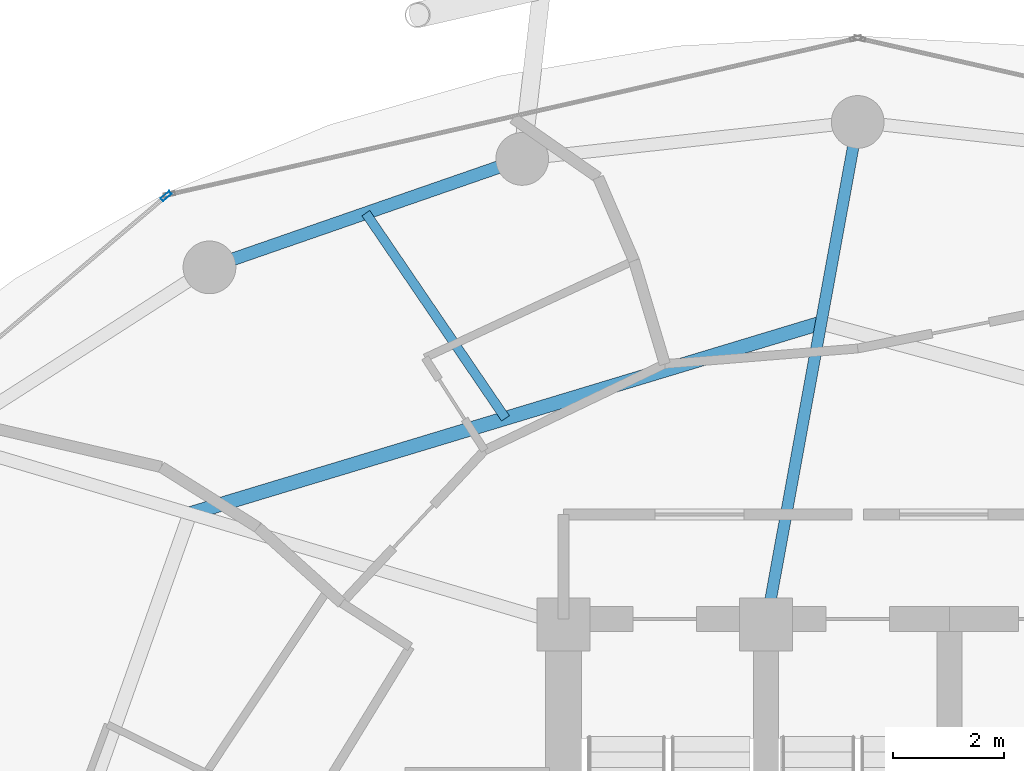
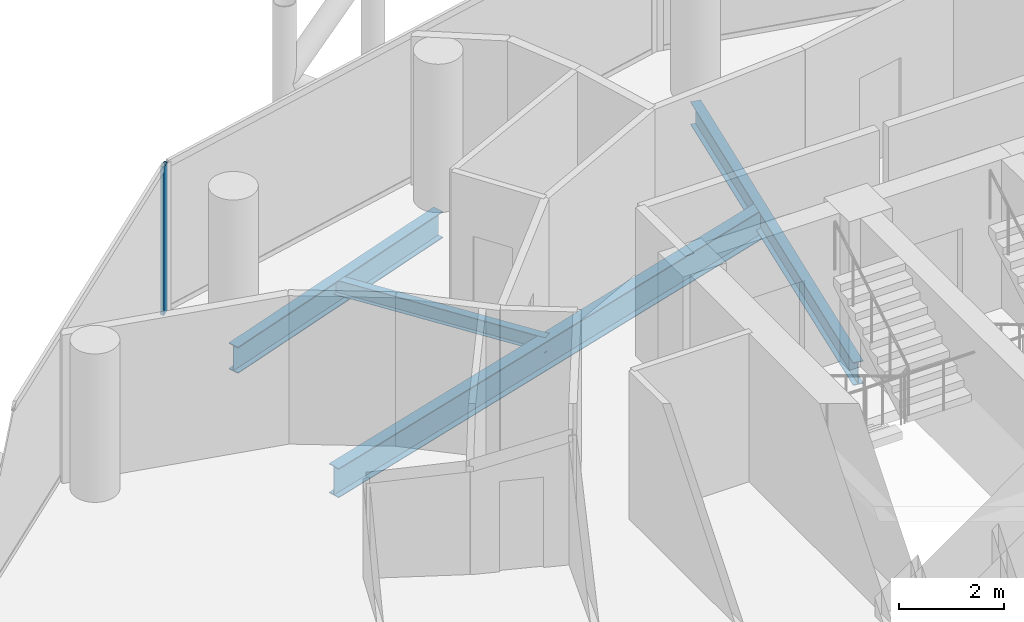
# One storey, part 15 of 26: 4 beams, 1 member, 1 element without a shape of its own.
"""IFC4 building model written with IfcOpenShell, lengths in metres."""

from ifc_helpers import new_model, si_unit, direction, frame, origin, origin_2d, place, context, subcontext, project, spatial, hollow_rectangle, i_section, extrude, material, layer, layer_set, material_profile, profile_set, type_object, element, aggregate, save


model = new_model("IFC4")

# Units and contexts
model_context = context("Model", 3, precision=1e-05, world=origin(), true_north=direction((0.0, 1.0)))
body_context = subcontext(model_context, "Body", "Model", "MODEL_VIEW")
ifc_project = project(units=[si_unit("LENGTHUNIT", "METRE"), si_unit("AREAUNIT", "SQUARE_METRE"), si_unit("VOLUMEUNIT", "CUBIC_METRE"), si_unit("PLANEANGLEUNIT", "RADIAN"), si_unit("MASSUNIT", "GRAM", prefix="KILO")], contexts=[model_context])

# Site, building, storey
site_placement = place(None, origin())
site = spatial("IfcSite", under=ifc_project, at=site_placement, CompositionType="ELEMENT")
building_placement = place(site_placement, origin())
building = spatial("IfcBuilding", under=site, at=building_placement, Name="Nuhasar Tower", CompositionType="ELEMENT")
storey_placement = place(building_placement, frame((0.0, 0.0, 118.25)))
storey = spatial("IfcBuildingStorey", under=building, at=storey_placement, Name="L27", CompositionType="ELEMENT", Elevation=118.25)

# Beams
ifc_material_1 = material(Name="Steel S355", Category="steel")
ifc_material_profile_1 = material_profile(ifc_material_1, i_section(OverallWidth=0.25390625, OverallDepth=0.68408203125, WebThickness=0.012451171875, FlangeThickness=0.018798828125, at=origin_2d()), Name="W27X94")
ifc_profile_set_1 = profile_set([ifc_material_profile_1], Name="Steel S355")
beam_type_1 = type_object("IfcBeamType", Name="BM-INRING-W27X94", PredefinedType="BEAM", material=ifc_profile_set_1)
beam_1_placement = place(storey_placement, frame((38.340087890625, 42.72998046875, -0.592041015625), z_axis=(-0.95722440557, -0.289346569673, 0.0), x_axis=(0.289346569673, -0.95722440557, 0.0)))
element("IfcBeam", 1, at=beam_1_placement, inside=storey, type_object=beam_type_1, Name="L27 Inner Header Beam 06", PredefinedType="BEAM", context=body_context, shape_type="SweptSolid", body=[
    extrude(i_section(OverallWidth=0.25390625, OverallDepth=0.68408203125, WebThickness=0.012451171875, FlangeThickness=0.018798828125, at=origin_2d()), origin(), (0.0, 0.0, 1.0), 11.875244140625),
])
ifc_material_profile_2 = material_profile(ifc_material_1, i_section(OverallWidth=0.1708984375, OverallDepth=0.35205078125, WebThickness=0.0068359375, FlangeThickness=0.009765625, at=origin_2d()), Name="W14X30")
ifc_profile_set_2 = profile_set([ifc_material_profile_2], Name="Steel S355")
beam_type_2 = type_object("IfcBeamType", Name="BM-JST-W14X30", PredefinedType="JOIST", material=ifc_profile_set_2)
beam_2_placement = place(storey_placement, frame((32.656982421875, 41.011962890625, -0.426025390625), z_axis=(-0.562802886474, 0.826591138941, 0.0), x_axis=(-0.826591138941, -0.562802886474, 0.0)))
element("IfcBeam", 2, at=beam_2_placement, inside=storey, type_object=beam_type_2, Name="L27 Secondary Floor Joist 06", PredefinedType="JOIST", context=body_context, shape_type="SweptSolid", body=[
    extrude(i_section(OverallWidth=0.1708984375, OverallDepth=0.35205078125, WebThickness=0.0068359375, FlangeThickness=0.009765625, at=origin_2d()), origin(), (0.0, 0.0, 1.0), 4.47021484375),
])
ifc_material_profile_3 = material_profile(ifc_material_1, i_section(OverallWidth=0.208984375, OverallDepth=0.532958984375, WebThickness=0.01025390625, FlangeThickness=0.015625, at=origin_2d()), Name="W21X62")
ifc_profile_set_3 = profile_set([ifc_material_profile_3], Name="Steel S355")
beam_type_3 = type_object("IfcBeamType", Name="BM-RAD-W21X62", PredefinedType="BEAM", material=ifc_profile_set_3)
beam_3_placement = place(storey_placement, frame((37.35009765625, 37.300048828125, -0.51611328125), z_axis=(0.179352509513, 0.983784873502, 0.0), x_axis=(-0.983784873502, 0.179352509513, 0.0)))
element("IfcBeam", 3, at=beam_3_placement, inside=storey, type_object=beam_type_3, Name="L27 Radial Floor Girder 06", PredefinedType="BEAM", context=body_context, shape_type="SweptSolid", body=[
    extrude(i_section(OverallWidth=0.208984375, OverallDepth=0.532958984375, WebThickness=0.01025390625, FlangeThickness=0.015625, at=origin_2d()), origin(), (0.0, 0.0, 1.0), 9.19921875),
])
ifc_material_profile_4 = material_profile(ifc_material_1, i_section(OverallWidth=0.22998046875, OverallDepth=0.616943359375, WebThickness=0.01318359375, FlangeThickness=0.022216796875, at=origin_2d()), Name="W24X94")
ifc_profile_set_4 = profile_set([ifc_material_profile_4], Name="Steel S355")
beam_type_4 = type_object("IfcBeamType", Name="BM-RING-W24X94", PredefinedType="SPANDREL", material=ifc_profile_set_4)
beam_4_placement = place(storey_placement, frame((32.95703125, 45.68408203125, -0.55810546875), z_axis=(-0.944801380051, -0.327643636066, 0.0), x_axis=(0.327643636066, -0.944801380051, 0.0)))
element("IfcBeam", 4, at=beam_4_placement, inside=storey, type_object=beam_type_4, Name="L27 Perimeter Ring Spandrel 08", PredefinedType="SPANDREL", context=body_context, shape_type="SweptSolid", body=[
    extrude(i_section(OverallWidth=0.22998046875, OverallDepth=0.616943359375, WebThickness=0.01318359375, FlangeThickness=0.022216796875, at=origin_2d()), origin(), (0.0, 0.0, 1.0), 5.961181640625),
])

# Curtain wall, member
ifc_material_2 = material(Name="Aluminium 6063-T6", Category="aluminium")
ifc_layer = layer(ifc_material_2, 0.199951171875)
ifc_layer_set = layer_set([ifc_layer], Name="Aluminium 6063-T6")
curtain_wall_type = type_object("IfcCurtainWallType", Name="CW-Z2-HTL", PredefinedType="NOTDEFINED", material=ifc_layer_set)
curtain_wall_placement = place(storey_placement, origin())
curtain_wall = element("IfcCurtainWall", 5, at=curtain_wall_placement, inside=storey, type_object=curtain_wall_type, Name="L27 Unitised Curtain Wall 05", PredefinedType="NOTDEFINED")
ifc_material_profile_5 = material_profile(ifc_material_2, hollow_rectangle(XDim=0.070068359375, YDim=0.199951171875, WallThickness=0.0048828125, at=origin_2d()), Name="CWM-3")
ifc_profile_set_5 = profile_set([ifc_material_profile_5], Name="Aluminium 6063-T6")
member_type = type_object("IfcMemberType", Name="CW-MUL-S3", PredefinedType="MULLION", material=ifc_profile_set_5)
member_placement = place(storey_placement, frame((26.543212890625, 45.015380859375, 0.0), z_axis=(0.0, 0.0, 1.0), x_axis=(0.646374438324, -0.763020370292, 0.0)))
member = element("IfcMember", 6, at=member_placement, type_object=member_type, Name="CW-Z2 mullion 1", PredefinedType="MULLION", context=body_context, shape_type="SweptSolid", body=[
    extrude(hollow_rectangle(XDim=0.070068359375, YDim=0.199951171875, WallThickness=0.0048828125, at=origin_2d()), origin(), (0.0, 0.0, 1.0), 3.449951171875),
])
aggregate(curtain_wall, [member])

save(model, "model.ifc")
